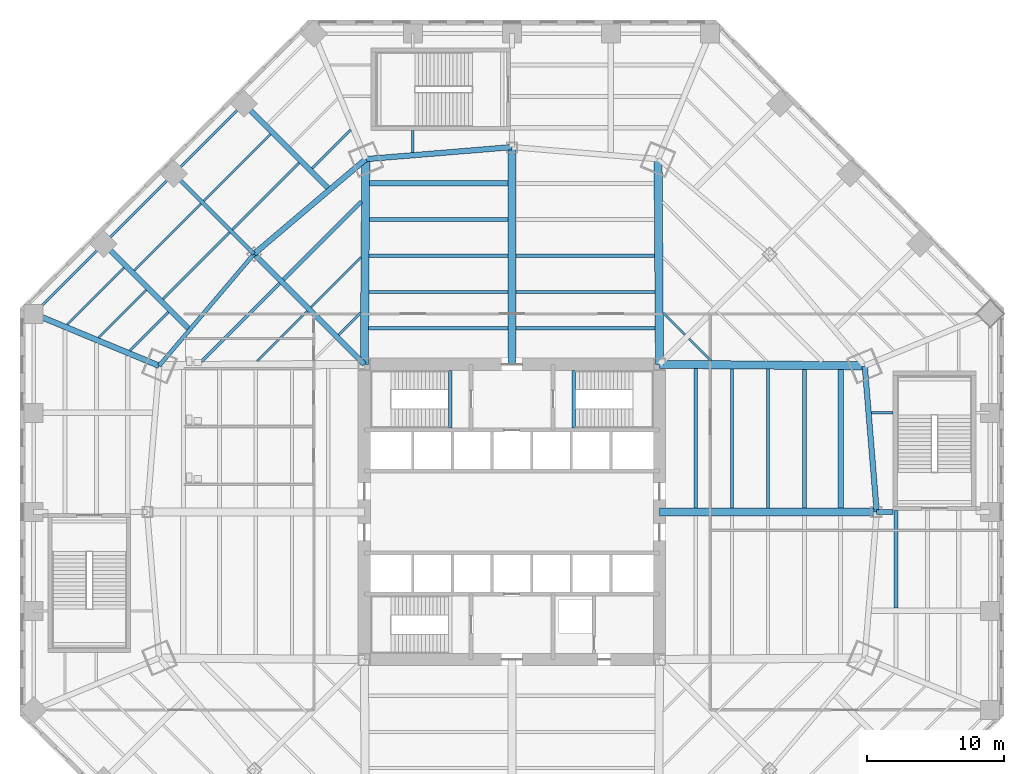
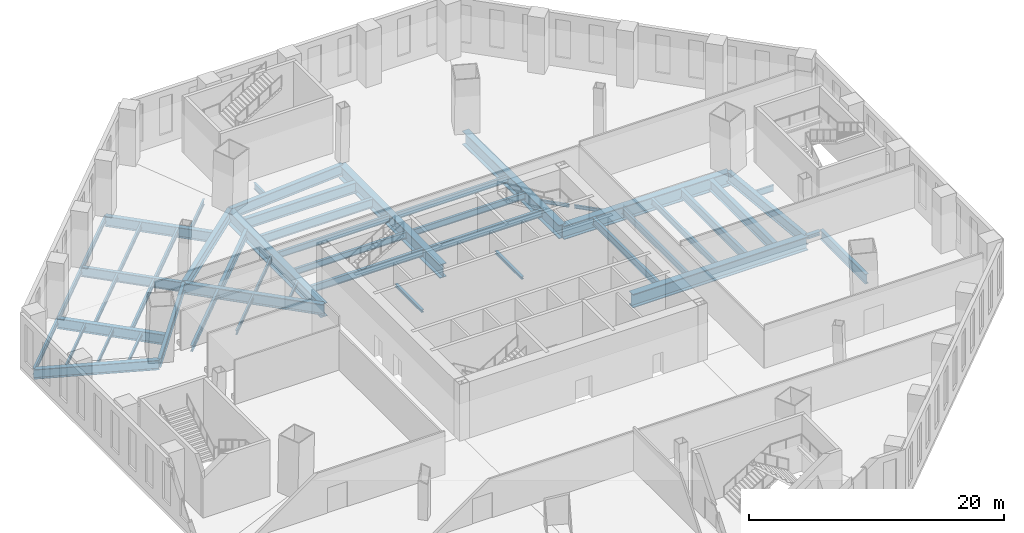
# One storey, part 4 of 18: 50 beams, 1 member.
"""IFC4 building model written with IfcOpenShell, lengths in metres."""

from ifc_helpers import new_model, si_unit, direction, frame, origin, origin_2d, place, context, subcontext, project, spatial, i_section, extrude, source, transform, mapped, material, material_profile, profile_set, type_object, type_shapes, element, save


model = new_model("IFC4")

# Units and contexts
model_context = context("Model", 3, precision=1e-05, world=origin(), true_north=direction((0.0, 1.0)))
body_context = subcontext(model_context, "Body", "Model", "MODEL_VIEW")
ifc_project = project(units=[si_unit("LENGTHUNIT", "METRE"), si_unit("AREAUNIT", "SQUARE_METRE"), si_unit("VOLUMEUNIT", "CUBIC_METRE"), si_unit("PLANEANGLEUNIT", "RADIAN"), si_unit("MASSUNIT", "GRAM", prefix="KILO")], contexts=[model_context])

# Site, building, storey
site_placement = place(None, origin())
site = spatial("IfcSite", under=ifc_project, at=site_placement, CompositionType="ELEMENT")
building_placement = place(site_placement, origin())
building = spatial("IfcBuilding", under=site, at=building_placement, Name="Mashrafa Tower", CompositionType="ELEMENT")
storey_placement = place(building_placement, frame((0.0, 0.0, 18.60009765625)))
storey = spatial("IfcBuildingStorey", under=building, at=storey_placement, Name="L03", CompositionType="ELEMENT", Elevation=18.60009765625)

# Beams
ifc_material_1 = material(Name="Steel ASTM A572 Gr 50", Category="steel")
ifc_material_profile_1 = material_profile(ifc_material_1, i_section(OverallWidth=0.60009765625, OverallDepth=1.300048828125, WebThickness=0.028076171875, FlangeThickness=0.06494140625, at=origin_2d()), Name="H1300X600X28X65")
ifc_profile_set_1 = profile_set([ifc_material_profile_1], Name="Steel ASTM A572 Gr 50")
beam_type_1 = type_object("IfcBeamType", Name="Beam H1300X600X28X65", PredefinedType="BEAM", material=ifc_profile_set_1)
beam_1_placement = place(storey_placement, frame((-10.800048828125, 10.800048828125, -0.9501953125), z_axis=(0.00702227593, 0.999975343516, 0.0), x_axis=(-0.999975343516, 0.00702227593, 0.0)))
element("IfcBeam", 1, at=beam_1_placement, inside=storey, type_object=beam_type_1, Name="Radial girder L03 219", PredefinedType="BEAM", context=body_context, shape_type="SweptSolid", body=[
    extrude(i_section(OverallWidth=0.60009765625, OverallDepth=1.300048828125, WebThickness=0.028076171875, FlangeThickness=0.06494140625, at=origin_2d()), origin(), (0.0, 0.0, 1.0), 15.019287109375),
])
for number, where, z_axis, x_axis, name in (
    (2, (0.0, 10.800048828125, -0.9501953125), (0.0, 1.0, 0.0), (-1.0, 0.0, 0.0), "Radial girder L03 221"),
    (3, (10.800048828125, 0.0, -0.9501953125), (1.0, 0.0, 0.0), (0.0, 1.0, 0.0), "Radial girder L03 225"),
):
    element("IfcBeam", number, at=place(storey_placement, frame(where, z_axis=z_axis, x_axis=x_axis)), inside=storey, type_object=beam_type_1, Name=name, PredefinedType="BEAM", context=body_context, shape_type="SweptSolid", body=[
        extrude(i_section(OverallWidth=0.60009765625, OverallDepth=1.300048828125, WebThickness=0.028076171875, FlangeThickness=0.06494140625, at=origin_2d()), origin(), (0.0, 0.0, 1.0), 15.89697265625),
    ])
for number, where, z_axis, x_axis, name in (
    (4, (10.800048828125, 10.800048828125, -0.9501953125), (-0.00702227593, 0.999975343516, 0.0), (-0.999975343516, -0.00702227593, 0.0), "Radial girder L03 226"),
    (5, (10.800048828125, 10.800048828125, -0.9501953125), (0.999975343516, -0.00702227593, 0.0), (0.00702227593, 0.999975343516, 0.0), "Radial girder L03 228"),
):
    element("IfcBeam", number, at=place(storey_placement, frame(where, z_axis=z_axis, x_axis=x_axis)), inside=storey, type_object=beam_type_1, Name=name, PredefinedType="BEAM", context=body_context, shape_type="SweptSolid", body=[
        extrude(i_section(OverallWidth=0.60009765625, OverallDepth=1.300048828125, WebThickness=0.028076171875, FlangeThickness=0.06494140625, at=origin_2d()), origin(), (0.0, 0.0, 1.0), 15.019287109375),
    ])
ifc_material_2 = material(Name="Steel ASTM A992", Category="steel")
ifc_material_profile_2 = material_profile(ifc_material_2, i_section(OverallWidth=0.164794921875, OverallDepth=0.309814453125, WebThickness=0.005859375, FlangeThickness=0.009765625, FilletRadius=0.007568359375, at=origin_2d()), Name="W12X26")
ifc_profile_set_2 = profile_set([ifc_material_profile_2], Name="Steel ASTM A992")
beam_type_2 = type_object("IfcBeamType", Name="Beam W12X26", PredefinedType="BEAM", material=ifc_profile_set_2)
beam_2_placement = place(storey_placement, frame((-27.95361328125, 11.8056640625, -0.455078125), z_axis=(0.707106781187, 0.707106781187, 0.0), x_axis=(-0.707106781187, 0.707106781187, 0.0)))
element("IfcBeam", 6, at=beam_2_placement, inside=storey, type_object=beam_type_2, Name="Floor beam L03 009", PredefinedType="BEAM", context=body_context, shape_type="SweptSolid", body=[
    extrude(i_section(OverallWidth=0.164794921875, OverallDepth=0.309814453125, WebThickness=0.005859375, FlangeThickness=0.009765625, FilletRadius=0.007568359375, at=origin_2d()), origin(), (0.0, 0.0, 1.0), 3.96875),
])
for number, where, z_axis, x_axis, name in (
    (7, (-12.6748046875, 12.964111328125, -0.455078125), (0.707160686792, 0.707052871471, 0.0), (-0.707052871471, 0.707160686792, 0.0), "Floor beam L03 043"),
    (8, (11.073486328125, 14.565185546875, -0.455078125), (0.707160686792, -0.707052871471, 0.0), (0.707052871471, 0.707160686792, 0.0), "Floor beam L03 077"),
    (9, (12.964111328125, 12.6748046875, -0.455078125), (0.707052871471, -0.707160686792, 0.0), (0.707160686792, 0.707052871471, 0.0), "Floor beam L03 083"),
):
    element("IfcBeam", number, at=place(storey_placement, frame(where, z_axis=z_axis, x_axis=x_axis)), inside=storey, type_object=beam_type_2, Name=name, PredefinedType="BEAM", context=body_context, shape_type="SweptSolid", body=[
        extrude(i_section(OverallWidth=0.164794921875, OverallDepth=0.309814453125, WebThickness=0.005859375, FlangeThickness=0.009765625, FilletRadius=0.007568359375, at=origin_2d()), origin(), (0.0, 0.0, 1.0), 2.264404296875),
    ])
ifc_material_3 = material(Name="Steel ASTM A992", Category="steel")
ifc_material_profile_3 = material_profile(ifc_material_3, i_section(OverallWidth=0.140380859375, OverallDepth=0.40380859375, WebThickness=0.007080078125, FlangeThickness=0.01123046875, FilletRadius=0.01025390625, at=origin_2d()), Name="W16X31")
ifc_profile_set_3 = profile_set([ifc_material_profile_3], Name="Steel ASTM A992")
beam_type_3 = type_object("IfcBeamType", Name="Beam W16X31", PredefinedType="BEAM", material=ifc_profile_set_3)
beam_3_placement = place(storey_placement, frame((-32.544189453125, 13.70703125, -0.501953125), z_axis=(0.707085986681, 0.707127575081, 0.0), x_axis=(-0.707127575081, 0.707085986681, 0.0)))
element("IfcBeam", 10, at=beam_3_placement, inside=storey, type_object=beam_type_3, Name="Floor beam L03 003", PredefinedType="BEAM", context=body_context, shape_type="SweptSolid", body=[
    extrude(i_section(OverallWidth=0.140380859375, OverallDepth=0.40380859375, WebThickness=0.007080078125, FlangeThickness=0.01123046875, FilletRadius=0.01025390625, at=origin_2d()), origin(), (0.0, 0.0, 1.0), 5.870361328125),
])
beam_4_placement = place(storey_placement, frame((-30.2490234375, 12.75634765625, -0.501953125), z_axis=(0.707106781187, 0.707106781187, 0.0), x_axis=(-0.707106781187, 0.707106781187, 0.0)))
element("IfcBeam", 11, at=beam_4_placement, inside=storey, type_object=beam_type_3, Name="Floor beam L03 006", PredefinedType="BEAM", context=body_context, shape_type="SweptSolid", body=[
    extrude(i_section(OverallWidth=0.140380859375, OverallDepth=0.40380859375, WebThickness=0.007080078125, FlangeThickness=0.01123046875, FilletRadius=0.01025390625, at=origin_2d()), origin(), (0.0, 0.0, 1.0), 4.919677734375),
])
ifc_material_4 = material(Name="Steel ASTM A992", Category="steel")
ifc_material_profile_4 = material_profile(ifc_material_4, i_section(OverallWidth=0.15234375, OverallDepth=0.449462890625, WebThickness=0.007568359375, FlangeThickness=0.0107421875, FilletRadius=0.01025390625, at=origin_2d()), Name="W18X35")
ifc_profile_set_4 = profile_set([ifc_material_profile_4], Name="Steel ASTM A992")
beam_type_4 = type_object("IfcBeamType", Name="Beam W18X35", PredefinedType="BEAM", material=ifc_profile_set_4)
for number, where, z_axis, x_axis, name in (
    (12, (-18.6328125, 11.044921875, -0.52490234375), (0.707106781187, 0.707106781187, 0.0), (-0.707106781187, 0.707106781187, 0.0), "Floor beam L03 023"),
    (13, (-14.6943359375, 14.9833984375, -0.52490234375), (0.707106781187, 0.707106781187, 0.0), (-0.707106781187, 0.707106781187, 0.0), "Floor beam L03 036"),
):
    element("IfcBeam", number, at=place(storey_placement, frame(where, z_axis=z_axis, x_axis=x_axis)), inside=storey, type_object=beam_type_4, Name=name, PredefinedType="BEAM", context=body_context, shape_type="SweptSolid", body=[
        extrude(i_section(OverallWidth=0.15234375, OverallDepth=0.449462890625, WebThickness=0.007568359375, FlangeThickness=0.0107421875, FilletRadius=0.01025390625, at=origin_2d()), origin(), (0.0, 0.0, 1.0), 5.1611328125),
    ])
ifc_material_5 = material(Name="Steel ASTM A992", Category="steel")
ifc_material_profile_5 = material_profile(ifc_material_5, i_section(OverallWidth=0.1650390625, OverallDepth=0.52587890625, WebThickness=0.0087890625, FlangeThickness=0.011474609375, FilletRadius=0.0126953125, at=origin_2d()), Name="W21X44")
ifc_profile_set_5 = profile_set([ifc_material_profile_5], Name="Steel ASTM A992")
beam_type_5 = type_object("IfcBeamType", Name="Beam W21X44", PredefinedType="BEAM", material=ifc_profile_set_5)
for number, where, z_axis, x_axis, name in (
    (14, (-27.63525390625, 17.667724609375, -0.56298828125), (0.707124486521, 0.707089075409, 0.0), (-0.707089075409, 0.707124486521, 0.0), "Floor beam L03 010"),
    (15, (-22.542724609375, 22.760009765625, -0.56298828125), (0.707089075409, 0.707124486521, 0.0), (-0.707124486521, 0.707089075409, 0.0), "Floor beam L03 018"),
):
    element("IfcBeam", number, at=place(storey_placement, frame(where, z_axis=z_axis, x_axis=x_axis)), inside=storey, type_object=beam_type_5, Name=name, PredefinedType="BEAM", context=body_context, shape_type="SweptSolid", body=[
        extrude(i_section(OverallWidth=0.1650390625, OverallDepth=0.52587890625, WebThickness=0.0087890625, FlangeThickness=0.011474609375, FilletRadius=0.0126953125, at=origin_2d()), origin(), (0.0, 0.0, 1.0), 6.89453125),
    ])
ifc_material_6 = material(Name="Steel ASTM A992", Category="steel")
ifc_material_profile_6 = material_profile(ifc_material_6, i_section(OverallWidth=0.165771484375, OverallDepth=0.5283203125, WebThickness=0.009765625, FlangeThickness=0.013671875, FilletRadius=0.012939453125, at=origin_2d()), Name="W21X50")
ifc_profile_set_6 = profile_set([ifc_material_profile_6], Name="Steel ASTM A992")
beam_type_6 = type_object("IfcBeamType", Name="Beam W21X50", PredefinedType="BEAM", material=ifc_profile_set_6)
beam_5_placement = place(storey_placement, frame((-14.612060546875, 25.147216796875, -0.564208984375), z_axis=(0.707106781187, 0.707106781187, 0.0), x_axis=(-0.707106781187, 0.707106781187, 0.0)))
element("IfcBeam", 16, at=beam_5_placement, inside=storey, type_object=beam_type_6, Name="Floor beam L03 037", PredefinedType="BEAM", context=body_context, shape_type="SweptSolid", body=[
    extrude(i_section(OverallWidth=0.165771484375, OverallDepth=0.5283203125, WebThickness=0.009765625, FlangeThickness=0.013671875, FilletRadius=0.012939453125, at=origin_2d()), origin(), (0.0, 0.0, 1.0), 3.978515625),
])
ifc_material_7 = material(Name="Steel ASTM A992", Category="steel")
ifc_material_profile_7 = material_profile(ifc_material_7, i_section(OverallWidth=0.177978515625, OverallDepth=0.599365234375, WebThickness=0.010009765625, FlangeThickness=0.012939453125, FilletRadius=0.012939453125, at=origin_2d()), Name="W24X55")
ifc_profile_set_7 = profile_set([ifc_material_profile_7], Name="Steel ASTM A992")
beam_type_7 = type_object("IfcBeamType", Name="Beam W24X55", PredefinedType="BEAM", material=ifc_profile_set_7)
for number, where, z_axis, x_axis, name in (
    (17, (-25.537841796875, 15.5703125, -0.599853515625), (0.707106781187, 0.707106781187, 0.0), (-0.707106781187, 0.707106781187, 0.0), "Floor beam L03 012"),
    (18, (-20.4453125, 20.662841796875, -0.599853515625), (0.707106781187, 0.707106781187, 0.0), (-0.707106781187, 0.707106781187, 0.0), "Floor beam L03 022"),
):
    element("IfcBeam", number, at=place(storey_placement, frame(where, z_axis=z_axis, x_axis=x_axis)), inside=storey, type_object=beam_type_7, Name=name, PredefinedType="BEAM", context=body_context, shape_type="SweptSolid", body=[
        extrude(i_section(OverallWidth=0.177978515625, OverallDepth=0.599365234375, WebThickness=0.010009765625, FlangeThickness=0.012939453125, FilletRadius=0.012939453125, at=origin_2d()), origin(), (0.0, 0.0, 1.0), 6.894287109375),
    ])
beam_6_placement = place(storey_placement, frame((-29.87451171875, 19.623046875, -0.599853515625), z_axis=(-0.707106781187, -0.707106781187, 0.0), x_axis=(0.707106781187, -0.707106781187, 0.0)))
element("IfcBeam", 19, at=beam_6_placement, inside=storey, type_object=beam_type_7, Name="Podium edge beam L03 131", PredefinedType="BEAM", context=body_context, shape_type="SweptSolid", body=[
    extrude(i_section(OverallWidth=0.177978515625, OverallDepth=0.599365234375, WebThickness=0.010009765625, FlangeThickness=0.012939453125, FilletRadius=0.012939453125, at=origin_2d()), origin(), (0.0, 0.0, 1.0), 7.24853515625),
])
for number, where, z_axis, x_axis, name in (
    (20, (-24.748779296875, 24.748779296875, -0.599853515625), (-0.707106781187, -0.707106781187, 0.0), (0.707106781187, -0.707106781187, 0.0), "Podium edge beam L03 133"),
    (21, (-19.623046875, 29.87451171875, -0.599853515625), (-0.707106781187, -0.707106781187, 0.0), (0.707106781187, -0.707106781187, 0.0), "Podium edge beam L03 135"),
):
    element("IfcBeam", number, at=place(storey_placement, frame(where, z_axis=z_axis, x_axis=x_axis)), inside=storey, type_object=beam_type_7, Name=name, PredefinedType="BEAM", context=body_context, shape_type="SweptSolid", body=[
        extrude(i_section(OverallWidth=0.177978515625, OverallDepth=0.599365234375, WebThickness=0.010009765625, FlangeThickness=0.012939453125, FilletRadius=0.012939453125, at=origin_2d()), origin(), (0.0, 0.0, 1.0), 7.248779296875),
    ])
for number, where, z_axis, x_axis, name in (
    (22, (-7.248779296875, 26.302978515625, -0.599853515625), (0.0, 1.0, 0.0), (-1.0, 0.0, 0.0), "Podium radial beam L03 173"),
    (23, (26.302978515625, 7.248779296875, -0.599853515625), (1.0, 0.0, 0.0), (0.0, 1.0, 0.0), "Podium radial beam L03 193"),
):
    element("IfcBeam", number, at=place(storey_placement, frame(where, z_axis=z_axis, x_axis=x_axis)), inside=storey, type_object=beam_type_7, Name=name, PredefinedType="BEAM", context=body_context, shape_type="SweptSolid", body=[
        extrude(i_section(OverallWidth=0.177978515625, OverallDepth=0.599365234375, WebThickness=0.010009765625, FlangeThickness=0.012939453125, FilletRadius=0.012939453125, at=origin_2d()), origin(), (0.0, 0.0, 1.0), 1.596923828125),
    ])
ifc_material_8 = material(Name="Steel ASTM A992", Category="steel")
ifc_material_profile_8 = material_profile(ifc_material_8, i_section(OverallWidth=0.227783203125, OverallDepth=0.60205078125, WebThickness=0.010498046875, FlangeThickness=0.014892578125, FilletRadius=0.012939453125, at=origin_2d()), Name="W24X68")
ifc_profile_set_8 = profile_set([ifc_material_profile_8], Name="Steel ASTM A992")
beam_type_8 = type_object("IfcBeamType", Name="Beam W24X68", PredefinedType="BEAM", material=ifc_profile_set_8)
beam_7_placement = place(storey_placement, frame((-22.7001953125, 11.016357421875, -0.60107421875), z_axis=(0.707106781187, 0.707106781187, 0.0), x_axis=(-0.707106781187, 0.707106781187, 0.0)))
element("IfcBeam", 24, at=beam_7_placement, inside=storey, type_object=beam_type_8, Name="Floor beam L03 016", PredefinedType="BEAM", context=body_context, shape_type="SweptSolid", body=[
    extrude(i_section(OverallWidth=0.227783203125, OverallDepth=0.60205078125, WebThickness=0.010498046875, FlangeThickness=0.014892578125, FilletRadius=0.012939453125, at=origin_2d()), origin(), (0.0, 0.0, 1.0), 8.05712890625),
])
beam_8_placement = place(storey_placement, frame((-10.462890625, 16.09912109375, -0.60107421875), z_axis=(1.0, 0.0, 0.0), x_axis=(0.0, 1.0, 0.0)))
element("IfcBeam", 25, at=beam_8_placement, inside=storey, type_object=beam_type_8, Name="Floor beam L03 049", PredefinedType="BEAM", context=body_context, shape_type="SweptSolid", body=[
    extrude(i_section(OverallWidth=0.227783203125, OverallDepth=0.60205078125, WebThickness=0.010498046875, FlangeThickness=0.014892578125, FilletRadius=0.012939453125, at=origin_2d()), origin(), (0.0, 0.0, 1.0), 10.162841796875),
])
beam_9_placement = place(storey_placement, frame((-10.444091796875, 18.74853515625, -0.60107421875), z_axis=(1.0, 0.0, 0.0), x_axis=(0.0, 1.0, 0.0)))
element("IfcBeam", 26, at=beam_9_placement, inside=storey, type_object=beam_type_8, Name="Floor beam L03 050", PredefinedType="BEAM", context=body_context, shape_type="SweptSolid", body=[
    extrude(i_section(OverallWidth=0.227783203125, OverallDepth=0.60205078125, WebThickness=0.010498046875, FlangeThickness=0.014892578125, FilletRadius=0.012939453125, at=origin_2d()), origin(), (0.0, 0.0, 1.0), 10.14404296875),
])
beam_10_placement = place(storey_placement, frame((0.300048828125, 16.09912109375, -0.60107421875), z_axis=(1.0, 0.0, 0.0), x_axis=(0.0, 1.0, 0.0)))
element("IfcBeam", 27, at=beam_10_placement, inside=storey, type_object=beam_type_8, Name="Floor beam L03 064", PredefinedType="BEAM", context=body_context, shape_type="SweptSolid", body=[
    extrude(i_section(OverallWidth=0.227783203125, OverallDepth=0.60205078125, WebThickness=0.010498046875, FlangeThickness=0.014892578125, FilletRadius=0.012939453125, at=origin_2d()), origin(), (0.0, 0.0, 1.0), 10.162841796875),
])
beam_11_placement = place(storey_placement, frame((0.300048828125, 18.74853515625, -0.60107421875), z_axis=(1.0, 0.0, 0.0), x_axis=(0.0, 1.0, 0.0)))
element("IfcBeam", 28, at=beam_11_placement, inside=storey, type_object=beam_type_8, Name="Floor beam L03 065", PredefinedType="BEAM", context=body_context, shape_type="SweptSolid", body=[
    extrude(i_section(OverallWidth=0.227783203125, OverallDepth=0.60205078125, WebThickness=0.010498046875, FlangeThickness=0.014892578125, FilletRadius=0.012939453125, at=origin_2d()), origin(), (0.0, 0.0, 1.0), 10.14404296875),
])
beam_12_placement = place(storey_placement, frame((16.09912109375, 10.462890625, -0.60107421875), z_axis=(0.0, -1.0, 0.0), x_axis=(1.0, 0.0, 0.0)))
element("IfcBeam", 29, at=beam_12_placement, inside=storey, type_object=beam_type_8, Name="Floor beam L03 094", PredefinedType="BEAM", context=body_context, shape_type="SweptSolid", body=[
    extrude(i_section(OverallWidth=0.227783203125, OverallDepth=0.60205078125, WebThickness=0.010498046875, FlangeThickness=0.014892578125, FilletRadius=0.012939453125, at=origin_2d()), origin(), (0.0, 0.0, 1.0), 10.162841796875),
])
beam_13_placement = place(storey_placement, frame((18.74853515625, 10.444091796875, -0.60107421875), z_axis=(0.0, -1.0, 0.0), x_axis=(1.0, 0.0, 0.0)))
element("IfcBeam", 30, at=beam_13_placement, inside=storey, type_object=beam_type_8, Name="Floor beam L03 101", PredefinedType="BEAM", context=body_context, shape_type="SweptSolid", body=[
    extrude(i_section(OverallWidth=0.227783203125, OverallDepth=0.60205078125, WebThickness=0.010498046875, FlangeThickness=0.014892578125, FilletRadius=0.012939453125, at=origin_2d()), origin(), (0.0, 0.0, 1.0), 10.14404296875),
])
ifc_material_9 = material(Name="Steel ASTM A992", Category="steel")
ifc_material_profile_9 = material_profile(ifc_material_9, i_section(OverallWidth=0.25390625, OverallDepth=0.67822265625, WebThickness=0.01171875, FlangeThickness=0.016357421875, FilletRadius=0.01513671875, at=origin_2d()), Name="W27X84")
ifc_profile_set_9 = profile_set([ifc_material_profile_9], Name="Steel ASTM A992")
beam_type_9 = type_object("IfcBeamType", Name="Beam W27X84", PredefinedType="BEAM", material=ifc_profile_set_9)
for number, where, z_axis, x_axis, name in (
    (31, (-10.4814453125, 13.449462890625, -0.63916015625), (1.0, 0.0, 0.0), (0.0, 1.0, 0.0), "Floor beam L03 047"),
    (32, (0.300048828125, 13.449462890625, -0.63916015625), (1.0, 0.0, 0.0), (0.0, 1.0, 0.0), "Floor beam L03 063"),
    (33, (13.449462890625, 10.4814453125, -0.63916015625), (0.0, -1.0, 0.0), (1.0, 0.0, 0.0), "Floor beam L03 085"),
):
    element("IfcBeam", number, at=place(storey_placement, frame(where, z_axis=z_axis, x_axis=x_axis)), inside=storey, type_object=beam_type_9, Name=name, PredefinedType="BEAM", context=body_context, shape_type="SweptSolid", body=[
        extrude(i_section(OverallWidth=0.25390625, OverallDepth=0.67822265625, WebThickness=0.01171875, FlangeThickness=0.016357421875, FilletRadius=0.01513671875, at=origin_2d()), origin(), (0.0, 0.0, 1.0), 10.181396484375),
    ])
ifc_material_10 = material(Name="Steel ASTM A992", Category="steel")
ifc_material_profile_10 = material_profile(ifc_material_10, i_section(OverallWidth=0.2919921875, OverallDepth=0.8408203125, WebThickness=0.0146484375, FlangeThickness=0.021728515625, FilletRadius=0.017333984375, at=origin_2d()), Name="W33X130")
ifc_profile_set_10 = profile_set([ifc_material_profile_10], Name="Steel ASTM A992")
beam_type_10 = type_object("IfcBeamType", Name="Beam W33X130", PredefinedType="BEAM", material=ifc_profile_set_10)
beam_14_placement = place(storey_placement, frame((-16.713623046875, 17.0029296875, -0.720458984375), z_axis=(0.707106781187, 0.707106781187, 0.0), x_axis=(-0.707106781187, 0.707106781187, 0.0)))
element("IfcBeam", 34, at=beam_14_placement, inside=storey, type_object=beam_type_10, Name="Floor beam L03 029", PredefinedType="BEAM", context=body_context, shape_type="SweptSolid", body=[
    extrude(i_section(OverallWidth=0.2919921875, OverallDepth=0.8408203125, WebThickness=0.0146484375, FlangeThickness=0.021728515625, FilletRadius=0.017333984375, at=origin_2d()), origin(), (0.0, 0.0, 1.0), 8.05712890625),
])
beam_15_placement = place(storey_placement, frame((-18.877685546875, 18.877685546875, -0.720458984375), z_axis=(-0.646864798225, -0.762604702856, 0.0), x_axis=(0.762604702856, -0.646864798225, 0.0)))
element("IfcBeam", 35, at=beam_15_placement, inside=storey, type_object=beam_type_10, Name="Podium ring girder L03 201", PredefinedType="BEAM", context=body_context, shape_type="SweptSolid", body=[
    extrude(i_section(OverallWidth=0.2919921875, OverallDepth=0.8408203125, WebThickness=0.0146484375, FlangeThickness=0.021728515625, FilletRadius=0.017333984375, at=origin_2d()), origin(), (0.0, 0.0, 1.0), 10.73046875),
])
ifc_material_11 = material(Name="Steel ASTM A992", Category="steel")
ifc_material_profile_11 = material_profile(ifc_material_11, i_section(OverallWidth=0.2919921875, OverallDepth=0.845703125, WebThickness=0.015380859375, FlangeThickness=0.0244140625, FilletRadius=0.017333984375, at=origin_2d()), Name="W33X141")
ifc_profile_set_11 = profile_set([ifc_material_profile_11], Name="Steel ASTM A992")
beam_type_11 = type_object("IfcBeamType", Name="Beam W33X141", PredefinedType="BEAM", material=ifc_profile_set_11)
for number, where, z_axis, x_axis, name in (
    (36, (-10.425537109375, 21.39794921875, -0.722900390625), (1.0, 0.0, 0.0), (0.0, 1.0, 0.0), "Floor beam L03 052"),
    (37, (21.39794921875, 10.425537109375, -0.722900390625), (0.0, -1.0, 0.0), (1.0, 0.0, 0.0), "Floor beam L03 106"),
):
    element("IfcBeam", number, at=place(storey_placement, frame(where, z_axis=z_axis, x_axis=x_axis)), inside=storey, type_object=beam_type_11, Name=name, PredefinedType="BEAM", context=body_context, shape_type="SweptSolid", body=[
        extrude(i_section(OverallWidth=0.2919921875, OverallDepth=0.845703125, WebThickness=0.015380859375, FlangeThickness=0.0244140625, FilletRadius=0.017333984375, at=origin_2d()), origin(), (0.0, 0.0, 1.0), 10.12548828125),
    ])
ifc_material_12 = material(Name="Steel ASTM A992", Category="steel")
ifc_material_profile_12 = material_profile(ifc_material_12, i_section(OverallWidth=0.307373046875, OverallDepth=0.927001953125, WebThickness=0.01953125, FlangeThickness=0.031982421875, FilletRadius=0.01904296875, at=origin_2d()), Name="W36X194")
ifc_profile_set_12 = profile_set([ifc_material_profile_12], Name="Steel ASTM A992")
beam_type_12 = type_object("IfcBeamType", Name="Beam W36X194", PredefinedType="BEAM", material=ifc_profile_set_12)
beam_16_placement = place(storey_placement, frame((28.114013671875, 0.10009765625, -0.763671875), z_axis=(0.0, -1.0, 0.0), x_axis=(1.0, 0.0, 0.0)))
element("IfcBeam", 38, at=beam_16_placement, inside=storey, type_object=beam_type_12, Name="Floor beam L03 117 part 1", PredefinedType="BEAM", context=body_context, shape_type="SweptSolid", body=[
    extrude(i_section(OverallWidth=0.307373046875, OverallDepth=0.927001953125, WebThickness=0.01953125, FlangeThickness=0.031982421875, FilletRadius=0.01904296875, at=origin_2d()), origin(), (0.0, 0.0, 1.0), 7.148193359375),
])
beam_17_placement = place(storey_placement, frame((-18.877685546875, 18.877685546875, -0.763671875), z_axis=(-0.707106781187, 0.707106781187, 0.0), x_axis=(-0.707106781187, -0.707106781187, 0.0)))
element("IfcBeam", 39, at=beam_17_placement, inside=storey, type_object=beam_type_12, Name="Podium radial beam L03 167", PredefinedType="BEAM", context=body_context, shape_type="SweptSolid", body=[
    extrude(i_section(OverallWidth=0.307373046875, OverallDepth=0.927001953125, WebThickness=0.01953125, FlangeThickness=0.031982421875, FilletRadius=0.01904296875, at=origin_2d()), origin(), (0.0, 0.0, 1.0), 8.302978515625),
])
ifc_material_13 = material(Name="Steel ASTM A992", Category="steel")
ifc_material_profile_13 = material_profile(ifc_material_13, i_section(OverallWidth=0.419189453125, OverallDepth=0.927001953125, WebThickness=0.019287109375, FlangeThickness=0.031982421875, FilletRadius=0.020263671875, at=origin_2d()), Name="W36X231")
ifc_profile_set_13 = profile_set([ifc_material_profile_13], Name="Steel ASTM A992")
beam_type_13 = type_object("IfcBeamType", Name="Beam W36X231", PredefinedType="BEAM", material=ifc_profile_set_13)
beam_18_placement = place(storey_placement, frame((-25.81884765625, 10.694580078125, -0.763671875), z_axis=(-0.92387879618, 0.382685210022, 0.0), x_axis=(-0.382685210022, -0.92387879618, 0.0)))
element("IfcBeam", 40, at=beam_18_placement, inside=storey, type_object=beam_type_13, Name="Podium radial beam L03 163", PredefinedType="BEAM", context=body_context, shape_type="SweptSolid", body=[
    extrude(i_section(OverallWidth=0.419189453125, OverallDepth=0.927001953125, WebThickness=0.019287109375, FlangeThickness=0.031982421875, FilletRadius=0.020263671875, at=origin_2d()), origin(), (0.0, 0.0, 1.0), 9.9375),
])
ifc_material_14 = material(Name="Steel ASTM A992", Category="steel")
ifc_material_profile_14 = material_profile(ifc_material_14, i_section(OverallWidth=0.4013671875, OverallDepth=0.98291015625, WebThickness=0.0166015625, FlangeThickness=0.027099609375, FilletRadius=0.0126953125, at=origin_2d()), Name="W40X199")
ifc_profile_set_14 = profile_set([ifc_material_profile_14], Name="Steel ASTM A992")
beam_type_14 = type_object("IfcBeamType", Name="Beam W40X199", PredefinedType="BEAM", material=ifc_profile_set_14)
beam_19_placement = place(storey_placement, frame((-23.68603515625, 13.434814453125, -0.79150390625), z_axis=(-0.707120729304, 0.707092832794, 0.0), x_axis=(-0.707092832794, -0.707120729304, 0.0)))
element("IfcBeam", 41, at=beam_19_placement, inside=storey, type_object=beam_type_14, Name="Podium radial beam L03 165", PredefinedType="BEAM", context=body_context, shape_type="SweptSolid", body=[
    extrude(i_section(OverallWidth=0.4013671875, OverallDepth=0.98291015625, WebThickness=0.0166015625, FlangeThickness=0.027099609375, FilletRadius=0.0126953125, at=origin_2d()), origin(), (0.0, 0.0, 1.0), 8.751708984375),
])
beam_20_placement = place(storey_placement, frame((-13.473388671875, 23.724853515625, -0.79150390625), z_axis=(-0.707106781187, 0.707106781187, 0.0), x_axis=(-0.707106781187, -0.707106781187, 0.0)))
element("IfcBeam", 42, at=beam_20_placement, inside=storey, type_object=beam_type_14, Name="Podium radial beam L03 169", PredefinedType="BEAM", context=body_context, shape_type="SweptSolid", body=[
    extrude(i_section(OverallWidth=0.4013671875, OverallDepth=0.98291015625, WebThickness=0.0166015625, FlangeThickness=0.027099609375, FilletRadius=0.0126953125, at=origin_2d()), origin(), (0.0, 0.0, 1.0), 8.697021484375),
])
ifc_material_15 = material(Name="Steel ASTM A992", Category="steel")
ifc_material_profile_15 = material_profile(ifc_material_15, i_section(OverallWidth=0.4013671875, OverallDepth=1.010986328125, WebThickness=0.023681640625, FlangeThickness=0.0419921875, FilletRadius=0.02001953125, at=origin_2d()), Name="W40X297")
ifc_profile_set_15 = profile_set([ifc_material_profile_15], Name="Steel ASTM A992")
beam_type_15 = type_object("IfcBeamType", Name="Beam W40X297", PredefinedType="BEAM", material=ifc_profile_set_15)
for number, where, z_axis, x_axis, name in (
    (43, (-10.406982421875, 24.047607421875, -0.8056640625), (1.0, 0.0, 0.0), (0.0, 1.0, 0.0), "Floor beam L03 054"),
    (44, (24.047607421875, 10.406982421875, -0.8056640625), (0.0, -1.0, 0.0), (1.0, 0.0, 0.0), "Floor beam L03 111"),
):
    element("IfcBeam", number, at=place(storey_placement, frame(where, z_axis=z_axis, x_axis=x_axis)), inside=storey, type_object=beam_type_15, Name=name, PredefinedType="BEAM", context=body_context, shape_type="SweptSolid", body=[
        extrude(i_section(OverallWidth=0.4013671875, OverallDepth=1.010986328125, WebThickness=0.023681640625, FlangeThickness=0.0419921875, FilletRadius=0.02001953125, at=origin_2d()), origin(), (0.0, 0.0, 1.0), 10.10693359375),
    ])
for number, where, z_axis, x_axis, name in (
    (45, (-10.694580078125, 25.81884765625, -0.8056640625), (-0.762604702856, -0.646864798225, 0.0), (0.646864798225, -0.762604702856, 0.0), "Podium ring girder L03 203"),
    (46, (0.0, 26.697021484375, -0.8056640625), (-0.996645606309, -0.081838471542, 0.0), (0.081838471542, -0.996645606309, 0.0), "Podium ring girder L03 205"),
    (47, (26.697021484375, 0.0, -0.8056640625), (-0.081838471542, 0.996645606309, 0.0), (-0.996645606309, -0.081838471542, 0.0), "Podium ring girder L03 212"),
):
    element("IfcBeam", number, at=place(storey_placement, frame(where, z_axis=z_axis, x_axis=x_axis)), inside=storey, type_object=beam_type_15, Name=name, PredefinedType="BEAM", context=body_context, shape_type="SweptSolid", body=[
        extrude(i_section(OverallWidth=0.4013671875, OverallDepth=1.010986328125, WebThickness=0.023681640625, FlangeThickness=0.0419921875, FilletRadius=0.02001953125, at=origin_2d()), origin(), (0.0, 0.0, 1.0), 10.73046875),
    ])
ifc_material_16 = material(Name="Steel ASTM A992", Category="steel")
ifc_material_profile_16 = material_profile(ifc_material_16, i_section(OverallWidth=0.408935546875, OverallDepth=1.04150390625, WebThickness=0.031005859375, FlangeThickness=0.055908203125, FilletRadius=0.020263671875, at=origin_2d()), Name="W40X397")
ifc_profile_set_16 = profile_set([ifc_material_profile_16], Name="Steel ASTM A992")
beam_type_16 = type_object("IfcBeamType", Name="Beam W40X397", PredefinedType="BEAM", material=ifc_profile_set_16)
beam_21_placement = place(storey_placement, frame((-10.800048828125, 10.800048828125, -0.82080078125), z_axis=(-0.707106781187, 0.707106781187, 0.0), x_axis=(-0.707106781187, -0.707106781187, 0.0)))
element("IfcBeam", 48, at=beam_21_placement, inside=storey, type_object=beam_type_16, Name="Radial girder L03 218", PredefinedType="BEAM", context=body_context, shape_type="SweptSolid", body=[
    extrude(i_section(OverallWidth=0.408935546875, OverallDepth=1.04150390625, WebThickness=0.031005859375, FlangeThickness=0.055908203125, FilletRadius=0.020263671875, at=origin_2d()), origin(), (0.0, 0.0, 1.0), 11.423583984375),
])
ifc_material_17 = material(Name="Steel ASTM A992", Category="steel")
ifc_material_profile_17 = material_profile(ifc_material_17, i_section(OverallWidth=0.25390625, OverallDepth=0.25390625, WebThickness=0.008544921875, FlangeThickness=0.01416015625, FilletRadius=0.010009765625, at=origin_2d()), Name="W10X49")
ifc_profile_set_17 = profile_set([ifc_material_profile_17], Name="Steel ASTM A992")
beam_type_17 = type_object("IfcBeamType", Name="Hoistway beam W10X49", PredefinedType="BEAM", material=ifc_profile_set_17)
for number, where, z_axis, x_axis, name in (
    (49, (-4.530029296875, 6.14990234375, -0.427001953125), (0.0, 1.0, 0.0), (-1.0, 0.0, 0.0), "Stair S1 landing beam L03"),
    (50, (4.530029296875, 6.14990234375, -0.427001953125), (0.0, 1.0, 0.0), (-1.0, 0.0, 0.0), "Stair S2 landing beam L03"),
):
    element("IfcBeam", number, at=place(storey_placement, frame(where, z_axis=z_axis, x_axis=x_axis)), inside=storey, type_object=beam_type_17, Name=name, PredefinedType="BEAM", context=body_context, shape_type="SweptSolid", body=[
        extrude(i_section(OverallWidth=0.25390625, OverallDepth=0.25390625, WebThickness=0.008544921875, FlangeThickness=0.01416015625, FilletRadius=0.010009765625, at=origin_2d()), origin(), (0.0, 0.0, 1.0), 4.2001953125),
    ])

# Member
ifc_material_18 = material(Name="Steel ASTM A992", Category="steel")
ifc_material_profile_18 = material_profile(ifc_material_18, i_section(OverallWidth=0.368408203125, OverallDepth=0.355712890625, WebThickness=0.01123046875, FlangeThickness=0.01806640625, FilletRadius=0.01513671875, at=origin_2d()), Name="W14X90")
ifc_profile_set_18 = profile_set([ifc_material_profile_18], Name="Steel ASTM A992")
member_type = type_object("IfcMemberType", Name="Tie strut W14X90", PredefinedType="STRUT", material=ifc_profile_set_18)
shared_shape = source(origin(), body_context, "Body", "SweptSolid", [
    extrude(i_section(OverallWidth=0.368408203125, OverallDepth=0.355712890625, WebThickness=0.01123046875, FlangeThickness=0.01806640625, FilletRadius=0.01513671875, at=origin_2d()), origin(), (0.0, 0.0, 1.0), 1.202880859375),
])
type_shapes(member_type, [shared_shape])
member_placement = place(storey_placement, frame((26.697021484375, 0.0, -0.477783203125), z_axis=(1.0, 0.0, 0.0), x_axis=(0.0, 1.0, 0.0)))
element("IfcMember", 51, at=member_placement, inside=storey, type_object=member_type, Name="Tie strut L03 194", PredefinedType="STRUT", context=body_context, shape_type="MappedRepresentation", body=[
    mapped(shared_shape, transform((0.0, 0.0, 0.0))),
])

save(model, "model.ifc")
